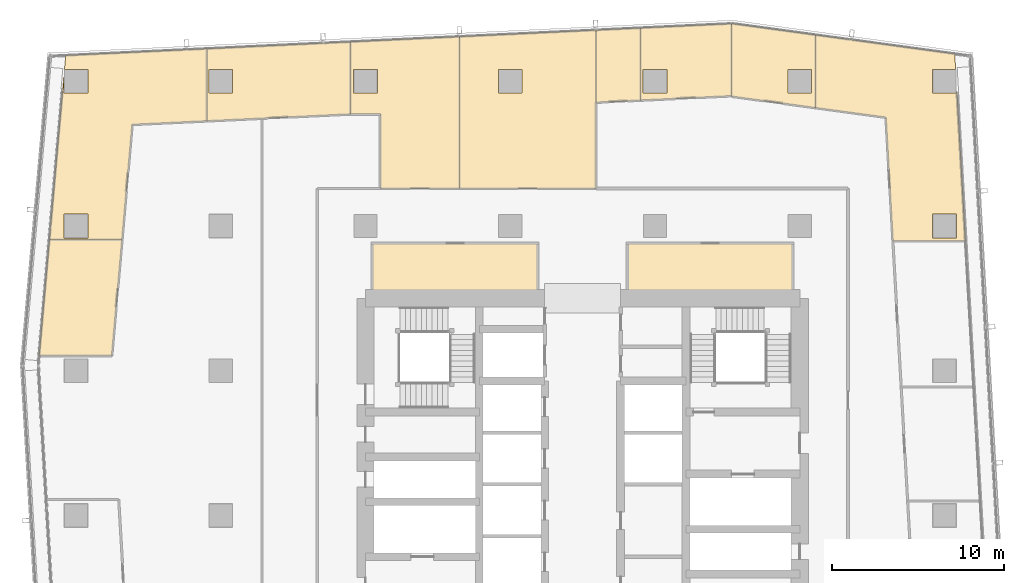
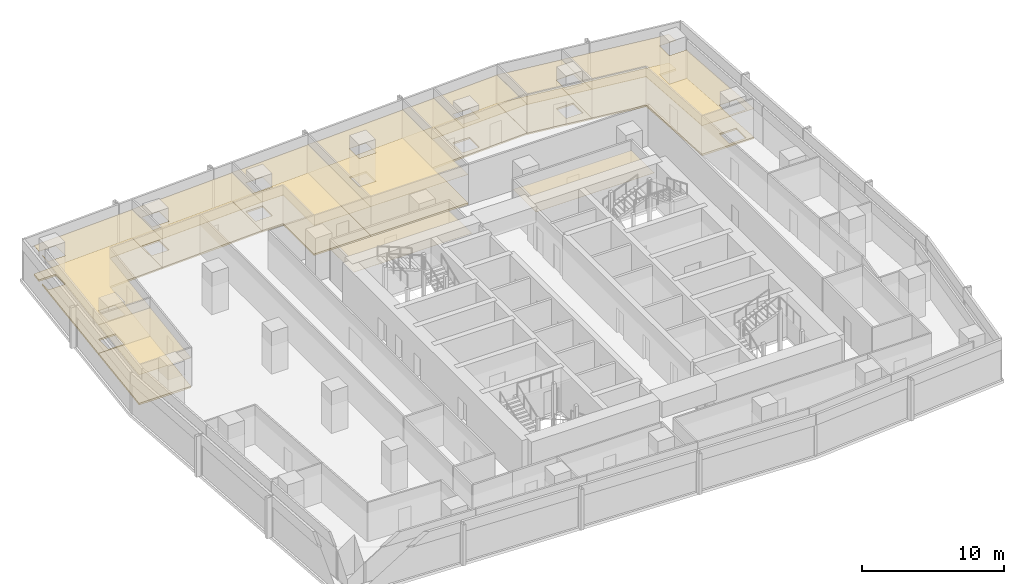
# One storey, part 38 of 38: 20 coverings.
"""IFC4 building model written with IfcOpenShell, lengths in metres."""

import ifcopenshell
import ifcopenshell.guid

model = None  # the IFC model being written
_history = None  # IfcOwnerHistory: only IFC2X3 demands one
_inside = {}  # id of a spatial element -> (the spatial element, [elements in it])
_under = {}  # id of a project, library or spatial element -> (it, [spatial elements below it])
_declared = {}  # id of a project -> (the project, [libraries it declares])
_typed = {}  # id of a type object -> (the type object, [elements of that type])
_made_of = {}  # id of a material, layer set ... -> (it, [elements and type objects made of it])


def new_model(schema):
    """Start an empty IFC model of exactly this schema.

    Asked for "IFC4X3", IfcOpenShell would pick the latest addendum, in which some entities
    have other attributes; the version numbers below select the first issue.
    IFC2X3 requires an IfcOwnerHistory on every rooted entity: one is made here for all.
    """
    global model, _history
    if schema == "IFC4X3":
        model = ifcopenshell.file(schema_version=(4, 3, 0, 0))
    else:
        model = ifcopenshell.file(schema=schema)
    _inside.clear()
    _under.clear()
    _declared.clear()
    _typed.clear()
    _made_of.clear()
    _history = None
    if model.schema == "IFC2X3":
        org = make("IfcOrganization", Name="unknown")
        user = make(
            "IfcPersonAndOrganization",
            ThePerson=make("IfcPerson", FamilyName="unknown"),
            TheOrganization=org,
        )
        app = make(
            "IfcApplication",
            ApplicationDeveloper=org,
            Version="unknown",
            ApplicationFullName="unknown",
            ApplicationIdentifier="unknown",
        )
        _history = make(
            "IfcOwnerHistory",
            OwningUser=user,
            OwningApplication=app,
            ChangeAction="ADDED",
            CreationDate=0,
        )
    return model


def make(cls, **values):
    """One entity of the class cls with the attributes given. An attribute that is None is left unset."""
    return model.create_entity(
        cls, **{name: value for name, value in values.items() if value is not None}
    )


def rooted(cls, **values):
    """An entity with a GlobalId (a new one), such as an element, a storey or a relation."""
    return make(cls, GlobalId=ifcopenshell.guid.new(), OwnerHistory=_history, **values)


def si_unit(unit_type, name, prefix=None):
    """IfcSIUnit, for example si_unit("LENGTHUNIT", "METRE", prefix="MILLI")."""
    return make("IfcSIUnit", UnitType=unit_type, Prefix=prefix, Name=name)


def assignment(units):
    """IfcUnitAssignment: the units of a project."""
    return None if units is None else make("IfcUnitAssignment", Units=units)


def point(xyz):
    """IfcCartesianPoint."""
    return None if xyz is None else make("IfcCartesianPoint", Coordinates=xyz)


def direction(xyz):
    """IfcDirection."""
    return None if xyz is None else make("IfcDirection", DirectionRatios=xyz)


def frame(location, z_axis=None, x_axis=None):
    """IfcAxis2Placement3D, a coordinate frame: its origin and axes. An axis left out is left unset."""
    return make(
        "IfcAxis2Placement3D",
        Location=point(location),
        Axis=direction(z_axis),
        RefDirection=direction(x_axis),
    )


def origin():
    """The frame at (0, 0, 0) with its axes left unset."""
    return frame((0.0, 0.0, 0.0))


def place(relative_to, where):
    """IfcLocalPlacement: puts the frame where relative to a parent placement (None: the world)."""
    return make(
        "IfcLocalPlacement", PlacementRelTo=relative_to, RelativePlacement=where
    )


def context(
    kind, dimensions, precision=None, world=None, true_north=None, identifier=None
):
    """IfcGeometricRepresentationContext, for example the 3D "Model" context."""
    return make(
        "IfcGeometricRepresentationContext",
        ContextIdentifier=identifier,
        ContextType=kind,
        CoordinateSpaceDimension=dimensions,
        Precision=precision,
        WorldCoordinateSystem=world,
        TrueNorth=true_north,
    )


def subcontext(parent, identifier, kind, view, scale=None):
    """IfcGeometricRepresentationSubContext, for example "Body" below "Model"."""
    return make(
        "IfcGeometricRepresentationSubContext",
        ContextIdentifier=identifier,
        ContextType=kind,
        ParentContext=parent,
        TargetScale=scale,
        TargetView=view,
    )


def project(units=None, contexts=None):
    """IfcProject with its units and contexts."""
    return rooted(
        "IfcProject",
        Name="project",
        RepresentationContexts=contexts,
        UnitsInContext=assignment(units),
    )


def spatial(cls, under=None, at=None, **own):
    """A site, building, storey or space (cls), placed at a placement, below another one or the project."""
    s = rooted(cls, ObjectPlacement=at, **own)
    if under is not None:
        _under.setdefault(under.id(), (under, []))[1].append(s)
    return s


def polyline(points):
    """IfcPolyline through the points."""
    return make("IfcPolyline", Points=[point(p) for p in points])


def outline(outer, holes=None, kind="AREA"):
    """IfcArbitraryClosedProfileDef: a profile drawn as a closed curve; with holes, ...WithVoids."""
    if holes is None:
        return make("IfcArbitraryClosedProfileDef", ProfileType=kind, OuterCurve=outer)
    return make(
        "IfcArbitraryProfileDefWithVoids",
        ProfileType=kind,
        OuterCurve=outer,
        InnerCurves=holes,
    )


def extrude(swept, where, along, depth):
    """IfcExtrudedAreaSolid: the profile swept, set in the frame where, extruded along a direction by depth."""
    return make(
        "IfcExtrudedAreaSolid",
        SweptArea=swept,
        Position=where,
        ExtrudedDirection=direction(along),
        Depth=depth,
    )


def shape(context_of_items, identifier, shape_type, items):
    """IfcShapeRepresentation: the items that make up one representation, for example the "Body"."""
    return make(
        "IfcShapeRepresentation",
        ContextOfItems=context_of_items,
        RepresentationIdentifier=identifier,
        RepresentationType=shape_type,
        Items=items,
    )


def material(Name=None, Category=None):
    """IfcMaterial."""
    return make("IfcMaterial", Name=Name, Category=Category)


def layer(
    of_material, thickness, ventilated=None, Name=None, Category=None, Priority=None
):
    """IfcMaterialLayer: one layer of a wall or slab, of a material (None: an air gap)."""
    return make(
        "IfcMaterialLayer",
        Material=of_material,
        LayerThickness=thickness,
        IsVentilated=ventilated,
        Name=Name,
        Category=Category,
        Priority=Priority,
    )


def layer_set(layers, Name=None):
    """IfcMaterialLayerSet."""
    return make("IfcMaterialLayerSet", MaterialLayers=layers, LayerSetName=Name)


def made_of(thing, what):
    """Note that an element or type object is made of a material, layer set ...; save() writes the relation."""
    if what is not None:
        _made_of.setdefault(what.id(), (what, []))[1].append(thing)
    return thing


def type_object(cls, material=None, **own):
    """A type object (cls), such as IfcWallType, which elements share."""
    return made_of(rooted(cls, **own), material)


def element(
    cls,
    number,
    at=None,
    inside=None,
    cuts=None,
    type_object=None,
    material=None,
    context=None,
    identifier="Body",
    shape_type=None,
    held_by="IfcProductDefinitionShape",
    body=None,
    shapes=None,
    **own,
):
    """One element of the class cls, such as IfcWall. Its Tag is "e" and its number.

    at: its placement. inside: the storey or other place that contains it. cuts: it is an
    opening in that element (IfcRelVoidsElement). A single representation is given by context,
    identifier, shape_type and body (its items); several are given by shapes. held_by: the class
    of the entity that holds the representations. save() writes the other relations.
    """
    e = rooted(cls, Tag="e%d" % number, ObjectPlacement=at, **own)
    if body is not None:
        shapes = [shape(context, identifier, shape_type, body)]
    if shapes is not None:
        e.Representation = make(held_by, Representations=shapes)
    if inside is not None:
        _inside.setdefault(inside.id(), (inside, []))[1].append(e)
    if cuts is not None:
        rooted(
            "IfcRelVoidsElement", RelatingBuildingElement=cuts, RelatedOpeningElement=e
        )
    if type_object is not None:
        _typed.setdefault(type_object.id(), (type_object, []))[1].append(e)
    return made_of(e, material)


def aggregate(whole, parts):
    """IfcRelAggregates: a whole, such as a stair, and the parts it consists of."""
    return rooted("IfcRelAggregates", RelatingObject=whole, RelatedObjects=parts)


def save(model, path):
    """Write the relations noted so far, then the file.

    IfcRelAggregates (storeys below a building ...), IfcRelContainedInSpatialStructure (elements
    in a storey), IfcRelDefinesByType, IfcRelAssociatesMaterial and IfcRelDeclares: one each for
    every whole, place, type object, material and project.
    """
    for whole, parts in _under.values():
        aggregate(whole, parts)
    for where, things in _inside.values():
        rooted(
            "IfcRelContainedInSpatialStructure",
            RelatedElements=things,
            RelatingStructure=where,
        )
    for kind, things in _typed.values():
        rooted("IfcRelDefinesByType", RelatedObjects=things, RelatingType=kind)
    for what, things in _made_of.values():
        rooted("IfcRelAssociatesMaterial", RelatedObjects=things, RelatingMaterial=what)
    for by, libraries in _declared.values():
        rooted("IfcRelDeclares", RelatingContext=by, RelatedDefinitions=libraries)
    model.write(path)


model = new_model("IFC4")

# Units and contexts
model_context = context("Model", 3, precision=1e-05, world=origin(), true_north=direction((0.0, 1.0)))
body_context = subcontext(model_context, "Body", "Model", "MODEL_VIEW")
ifc_project = project(units=[si_unit("LENGTHUNIT", "METRE"), si_unit("AREAUNIT", "SQUARE_METRE"), si_unit("VOLUMEUNIT", "CUBIC_METRE"), si_unit("PLANEANGLEUNIT", "RADIAN"), si_unit("MASSUNIT", "GRAM", prefix="KILO")], contexts=[model_context])

# Site, building, storey
site_placement = place(None, origin())
site = spatial("IfcSite", under=ifc_project, at=site_placement, CompositionType="ELEMENT")
building_placement = place(site_placement, origin())
building = spatial("IfcBuilding", under=site, at=building_placement, Name="Rekha Terrace Tower", CompositionType="ELEMENT")
storey_placement = place(building_placement, frame((0.0, 0.0, 198.949951171875)))
storey = spatial("IfcBuildingStorey", under=building, at=storey_placement, Name="L50", CompositionType="ELEMENT", Elevation=198.949951171875)

# Coverings
ifc_material_1 = material(Name="Mineral fibre tile in exposed grid", Category="finish")
ifc_layer_1 = layer(ifc_material_1, 0.02001953125)
ifc_layer_set_1 = layer_set([ifc_layer_1], Name="Mineral fibre tile in exposed grid")
covering_type_1 = type_object("IfcCoveringType", Name="CL1 600x1200 office grid ceiling", PredefinedType="CEILING", material=ifc_layer_set_1)
covering_1_placement = place(storey_placement, frame((0.0, 0.0, 2.580078125)))
element("IfcCovering", 1, at=covering_1_placement, inside=storey, type_object=covering_type_1, Name="Ceiling L50-06", PredefinedType="CEILING", context=body_context, shape_type="SweptSolid", body=[
    extrude(outline(polyline([(59.39208984375, 60.39208984375), (51.31298828125, 61.490966796875), (51.31298828125, 57.2529296875), (55.39501953125, 56.697021484375), (55.802001953125, 49.52099609375), (60.009033203125, 49.52099609375), (59.51611328125, 58.2119140625), (59.489990234375, 58.2109375), (59.489990234375, 58.110107421875), (58.110107421875, 58.110107421875), (58.110107421875, 59.489990234375), (59.443115234375, 59.489990234375), (59.39208984375, 60.39208984375)]), holes=[polyline([(59.489990234375, 51.090087890625), (59.489990234375, 49.7099609375), (58.110107421875, 49.7099609375), (58.110107421875, 51.090087890625), (59.489990234375, 51.090087890625)])]), origin(), (0.0, 0.0, 1.0), 0.02001953125),
])
covering_2_placement = place(storey_placement, frame((0.0, 0.0, 2.580078125)))
element("IfcCovering", 2, at=covering_2_placement, inside=storey, type_object=covering_type_1, Name="Ceiling L50-07", PredefinedType="CEILING", context=body_context, shape_type="SweptSolid", body=[
    extrude(outline(polyline([(51.31201171875, 57.2529296875), (51.31201171875, 61.490966796875), (46.445068359375, 62.154052734375), (46.445068359375, 57.9150390625), (51.31201171875, 57.2529296875)]), holes=[polyline([(51.090087890625, 58.110107421875), (49.7099609375, 58.110107421875), (49.7099609375, 59.489990234375), (51.090087890625, 59.489990234375), (51.090087890625, 58.110107421875)])]), origin(), (0.0, 0.0, 1.0), 0.02001953125),
])
covering_3_placement = place(storey_placement, frame((0.0, 0.0, 2.580078125)))
element("IfcCovering", 3, at=covering_3_placement, inside=storey, type_object=covering_type_1, Name="Ceiling L50-08", PredefinedType="CEILING", context=body_context, shape_type="SweptSolid", body=[
    extrude(outline(polyline([(46.444091796875, 62.14697265625), (41.152099609375, 61.89404296875), (41.152099609375, 57.68994140625), (46.444091796875, 57.943115234375), (46.444091796875, 62.14697265625)]), holes=[polyline([(42.68994140625, 59.489990234375), (42.68994140625, 58.110107421875), (41.31005859375, 58.110107421875), (41.31005859375, 59.489990234375), (42.68994140625, 59.489990234375)])]), origin(), (0.0, 0.0, 1.0), 0.02001953125),
])
covering_4_placement = place(storey_placement, frame((0.0, 0.0, 2.580078125)))
element("IfcCovering", 4, at=covering_4_placement, inside=storey, type_object=covering_type_1, Name="Ceiling L50-09", PredefinedType="CEILING", context=body_context, shape_type="SweptSolid", body=[
    extrude(outline(polyline([(41.15087890625, 57.68994140625), (41.15087890625, 61.89404296875), (38.570068359375, 61.77099609375), (38.570068359375, 57.56591796875), (41.15087890625, 57.68994140625)])), origin(), (0.0, 0.0, 1.0), 0.02001953125),
])
covering_5_placement = place(storey_placement, frame((0.0, 0.0, 2.580078125)))
element("IfcCovering", 5, at=covering_5_placement, inside=storey, type_object=covering_type_1, Name="Ceiling L50-10", PredefinedType="CEILING", context=body_context, shape_type="SweptSolid", body=[
    extrude(outline(polyline([(24.318115234375, 61.090087890625), (24.318115234375, 56.885009765625), (26.05810546875, 56.885009765625), (26.05810546875, 52.574951171875), (30.660888671875, 52.574951171875), (30.660888671875, 61.39306640625), (24.318115234375, 61.090087890625)]), holes=[polyline([(25.889892578125, 58.110107421875), (24.510009765625, 58.110107421875), (24.510009765625, 59.489990234375), (25.889892578125, 59.489990234375), (25.889892578125, 58.110107421875)])]), origin(), (0.0, 0.0, 1.0), 0.02001953125),
])
covering_6_placement = place(storey_placement, frame((0.0, 0.0, 2.580078125)))
element("IfcCovering", 6, at=covering_6_placement, inside=storey, type_object=covering_type_1, Name="Ceiling L50-11", PredefinedType="CEILING", context=body_context, shape_type="SweptSolid", body=[
    extrude(outline(polyline([(24.31689453125, 56.885009765625), (24.31689453125, 61.090087890625), (15.989990234375, 60.69091796875), (15.989990234375, 56.487060546875), (24.31689453125, 56.885009765625)]), holes=[polyline([(17.489990234375, 59.489990234375), (17.489990234375, 58.110107421875), (16.110107421875, 58.110107421875), (16.110107421875, 59.489990234375), (17.489990234375, 59.489990234375)])]), origin(), (0.0, 0.0, 1.0), 0.02001953125),
])
covering_7_placement = place(storey_placement, frame((0.0, 0.0, 2.580078125)))
element("IfcCovering", 7, at=covering_7_placement, inside=storey, type_object=covering_type_1, Name="Ceiling L50-12", PredefinedType="CEILING", context=body_context, shape_type="SweptSolid", body=[
    extrude(outline(polyline([(7.68701171875, 59.0048828125), (6.85595703125, 49.60205078125), (11.072998046875, 49.60205078125), (11.662109375, 56.280029296875), (15.989013671875, 56.487060546875), (15.989013671875, 60.69091796875), (7.801025390625, 60.300048828125), (7.72900390625, 59.489990234375), (9.090087890625, 59.489990234375), (9.090087890625, 58.110107421875), (7.7099609375, 58.110107421875), (7.7099609375, 59.00390625), (7.68701171875, 59.0048828125)]), holes=[polyline([(9.090087890625, 49.7099609375), (7.7099609375, 49.7099609375), (7.7099609375, 51.090087890625), (9.090087890625, 51.090087890625), (9.090087890625, 49.7099609375)])]), origin(), (0.0, 0.0, 1.0), 0.02001953125),
])
covering_8_placement = place(storey_placement, frame((0.0, 0.0, 2.580078125)))
element("IfcCovering", 8, at=covering_8_placement, inside=storey, type_object=covering_type_1, Name="Ceiling L50-13", PredefinedType="CEILING", context=body_context, shape_type="SweptSolid", body=[
    extrude(outline(polyline([(11.072998046875, 49.60107421875), (6.85595703125, 49.60107421875), (6.261962890625, 42.87109375), (10.47900390625, 42.87109375), (11.072998046875, 49.60107421875)])), origin(), (0.0, 0.0, 1.0), 0.02001953125),
])
covering_9_placement = place(storey_placement, frame((0.0, 0.0, 2.580078125)))
element("IfcCovering", 9, at=covering_9_placement, inside=storey, type_object=covering_type_1, Name="Ceiling L50-20", PredefinedType="CEILING", context=body_context, shape_type="SweptSolid", body=[
    extrude(outline(polyline([(30.660888671875, 61.39306640625), (30.660888671875, 52.574951171875), (38.570068359375, 52.574951171875), (38.570068359375, 61.77099609375), (30.660888671875, 61.39306640625)]), holes=[polyline([(34.2900390625, 58.110107421875), (32.909912109375, 58.110107421875), (32.909912109375, 59.489990234375), (34.2900390625, 59.489990234375), (34.2900390625, 58.110107421875)])]), origin(), (0.0, 0.0, 1.0), 0.02001953125),
])
ifc_material_2 = material(Name="Fibre cement board", Category="finish")
ifc_layer_2 = layer(ifc_material_2, 0.014892578125)
ifc_layer_set_2 = layer_set([ifc_layer_2], Name="Fibre cement board")
covering_type_2 = type_object("IfcCoveringType", Name="CL2 moisture-resistant board ceiling", PredefinedType="CEILING", material=ifc_layer_set_2)
covering_10_placement = place(storey_placement, frame((0.0, 0.0, 2.5849609375)))
element("IfcCovering", 10, at=covering_10_placement, inside=storey, type_object=covering_type_2, Name="Ceiling L50-WCF", PredefinedType="CEILING", context=body_context, shape_type="SweptSolid", body=[
    extrude(outline(polyline([(50.0, 49.39990234375), (40.39990234375, 49.39990234375), (40.39990234375, 46.199951171875), (50.0, 46.199951171875), (50.0, 49.39990234375)])), origin(), (0.0, 0.0, 1.0), 0.01513671875),
])
covering_11_placement = place(storey_placement, frame((0.0, 0.0, 2.5849609375)))
element("IfcCovering", 11, at=covering_11_placement, inside=storey, type_object=covering_type_2, Name="Ceiling L50-WCF2", PredefinedType="CEILING", context=body_context, shape_type="SweptSolid", body=[
    extrude(outline(polyline([(35.199951171875, 49.39990234375), (25.60009765625, 49.39990234375), (25.60009765625, 46.199951171875), (35.199951171875, 46.199951171875), (35.199951171875, 49.39990234375)])), origin(), (0.0, 0.0, 1.0), 0.01513671875),
])
ifc_material_3 = material(Name="Calcium sulphate panels on steel pedestals", Category="steel")
ifc_layer_3 = layer(ifc_material_3, 0.14990234375)
ifc_layer_set_3 = layer_set([ifc_layer_3], Name="Calcium sulphate panels on steel pedestals")
covering_type_3 = type_object("IfcCoveringType", Name="RF1 150 raised access floor", PredefinedType="FLOORING", material=ifc_layer_set_3)
covering_12_placement = place(storey_placement, origin())
element("IfcCovering", 12, at=covering_12_placement, inside=storey, type_object=covering_type_3, Name="Raised floor L50-06", PredefinedType="FLOORING", context=body_context, shape_type="SweptSolid", body=[
    extrude(outline(polyline([(59.39208984375, 60.39208984375), (51.31298828125, 61.490966796875), (51.31298828125, 57.2529296875), (55.39501953125, 56.697021484375), (55.802001953125, 49.52099609375), (60.009033203125, 49.52099609375), (59.51611328125, 58.2119140625), (59.489990234375, 58.2109375), (59.489990234375, 58.110107421875), (58.110107421875, 58.110107421875), (58.110107421875, 59.489990234375), (59.443115234375, 59.489990234375), (59.39208984375, 60.39208984375)]), holes=[polyline([(59.489990234375, 51.090087890625), (59.489990234375, 49.7099609375), (58.110107421875, 49.7099609375), (58.110107421875, 51.090087890625), (59.489990234375, 51.090087890625)])]), origin(), (0.0, 0.0, 1.0), 0.150146484375),
])
covering_13_placement = place(storey_placement, origin())
element("IfcCovering", 13, at=covering_13_placement, inside=storey, type_object=covering_type_3, Name="Raised floor L50-07", PredefinedType="FLOORING", context=body_context, shape_type="SweptSolid", body=[
    extrude(outline(polyline([(51.31201171875, 57.2529296875), (51.31201171875, 61.490966796875), (46.445068359375, 62.154052734375), (46.445068359375, 57.9150390625), (51.31201171875, 57.2529296875)]), holes=[polyline([(51.090087890625, 58.110107421875), (49.7099609375, 58.110107421875), (49.7099609375, 59.489990234375), (51.090087890625, 59.489990234375), (51.090087890625, 58.110107421875)])]), origin(), (0.0, 0.0, 1.0), 0.150146484375),
])
covering_14_placement = place(storey_placement, origin())
element("IfcCovering", 14, at=covering_14_placement, inside=storey, type_object=covering_type_3, Name="Raised floor L50-08", PredefinedType="FLOORING", context=body_context, shape_type="SweptSolid", body=[
    extrude(outline(polyline([(46.444091796875, 62.14697265625), (41.152099609375, 61.89404296875), (41.152099609375, 57.68994140625), (46.444091796875, 57.943115234375), (46.444091796875, 62.14697265625)]), holes=[polyline([(42.68994140625, 59.489990234375), (42.68994140625, 58.110107421875), (41.31005859375, 58.110107421875), (41.31005859375, 59.489990234375), (42.68994140625, 59.489990234375)])]), origin(), (0.0, 0.0, 1.0), 0.150146484375),
])
covering_15_placement = place(storey_placement, origin())
element("IfcCovering", 15, at=covering_15_placement, inside=storey, type_object=covering_type_3, Name="Raised floor L50-09", PredefinedType="FLOORING", context=body_context, shape_type="SweptSolid", body=[
    extrude(outline(polyline([(41.15087890625, 57.68994140625), (41.15087890625, 61.89404296875), (38.570068359375, 61.77099609375), (38.570068359375, 57.56591796875), (41.15087890625, 57.68994140625)])), origin(), (0.0, 0.0, 1.0), 0.150146484375),
])
covering_16_placement = place(storey_placement, origin())
element("IfcCovering", 16, at=covering_16_placement, inside=storey, type_object=covering_type_3, Name="Raised floor L50-10", PredefinedType="FLOORING", context=body_context, shape_type="SweptSolid", body=[
    extrude(outline(polyline([(24.318115234375, 61.090087890625), (24.318115234375, 56.885009765625), (26.05810546875, 56.885009765625), (26.05810546875, 52.574951171875), (30.660888671875, 52.574951171875), (30.660888671875, 61.39306640625), (24.318115234375, 61.090087890625)]), holes=[polyline([(25.889892578125, 58.110107421875), (24.510009765625, 58.110107421875), (24.510009765625, 59.489990234375), (25.889892578125, 59.489990234375), (25.889892578125, 58.110107421875)])]), origin(), (0.0, 0.0, 1.0), 0.150146484375),
])
covering_17_placement = place(storey_placement, origin())
element("IfcCovering", 17, at=covering_17_placement, inside=storey, type_object=covering_type_3, Name="Raised floor L50-11", PredefinedType="FLOORING", context=body_context, shape_type="SweptSolid", body=[
    extrude(outline(polyline([(24.31689453125, 56.885009765625), (24.31689453125, 61.090087890625), (15.989990234375, 60.69091796875), (15.989990234375, 56.487060546875), (24.31689453125, 56.885009765625)]), holes=[polyline([(17.489990234375, 59.489990234375), (17.489990234375, 58.110107421875), (16.110107421875, 58.110107421875), (16.110107421875, 59.489990234375), (17.489990234375, 59.489990234375)])]), origin(), (0.0, 0.0, 1.0), 0.150146484375),
])
covering_18_placement = place(storey_placement, origin())
element("IfcCovering", 18, at=covering_18_placement, inside=storey, type_object=covering_type_3, Name="Raised floor L50-12", PredefinedType="FLOORING", context=body_context, shape_type="SweptSolid", body=[
    extrude(outline(polyline([(7.68701171875, 59.0048828125), (6.85595703125, 49.60205078125), (11.072998046875, 49.60205078125), (11.662109375, 56.280029296875), (15.989013671875, 56.487060546875), (15.989013671875, 60.69091796875), (7.801025390625, 60.300048828125), (7.72900390625, 59.489990234375), (9.090087890625, 59.489990234375), (9.090087890625, 58.110107421875), (7.7099609375, 58.110107421875), (7.7099609375, 59.00390625), (7.68701171875, 59.0048828125)]), holes=[polyline([(9.090087890625, 49.7099609375), (7.7099609375, 49.7099609375), (7.7099609375, 51.090087890625), (9.090087890625, 51.090087890625), (9.090087890625, 49.7099609375)])]), origin(), (0.0, 0.0, 1.0), 0.150146484375),
])
covering_19_placement = place(storey_placement, origin())
element("IfcCovering", 19, at=covering_19_placement, inside=storey, type_object=covering_type_3, Name="Raised floor L50-13", PredefinedType="FLOORING", context=body_context, shape_type="SweptSolid", body=[
    extrude(outline(polyline([(11.072998046875, 49.60107421875), (6.85595703125, 49.60107421875), (6.261962890625, 42.87109375), (10.47900390625, 42.87109375), (11.072998046875, 49.60107421875)])), origin(), (0.0, 0.0, 1.0), 0.150146484375),
])
covering_20_placement = place(storey_placement, origin())
element("IfcCovering", 20, at=covering_20_placement, inside=storey, type_object=covering_type_3, Name="Raised floor L50-20", PredefinedType="FLOORING", context=body_context, shape_type="SweptSolid", body=[
    extrude(outline(polyline([(30.660888671875, 61.39306640625), (30.660888671875, 52.574951171875), (38.570068359375, 52.574951171875), (38.570068359375, 61.77099609375), (30.660888671875, 61.39306640625)]), holes=[polyline([(34.2900390625, 58.110107421875), (32.909912109375, 58.110107421875), (32.909912109375, 59.489990234375), (34.2900390625, 59.489990234375), (34.2900390625, 58.110107421875)])]), origin(), (0.0, 0.0, 1.0), 0.150146484375),
])

save(model, "model.ifc")
